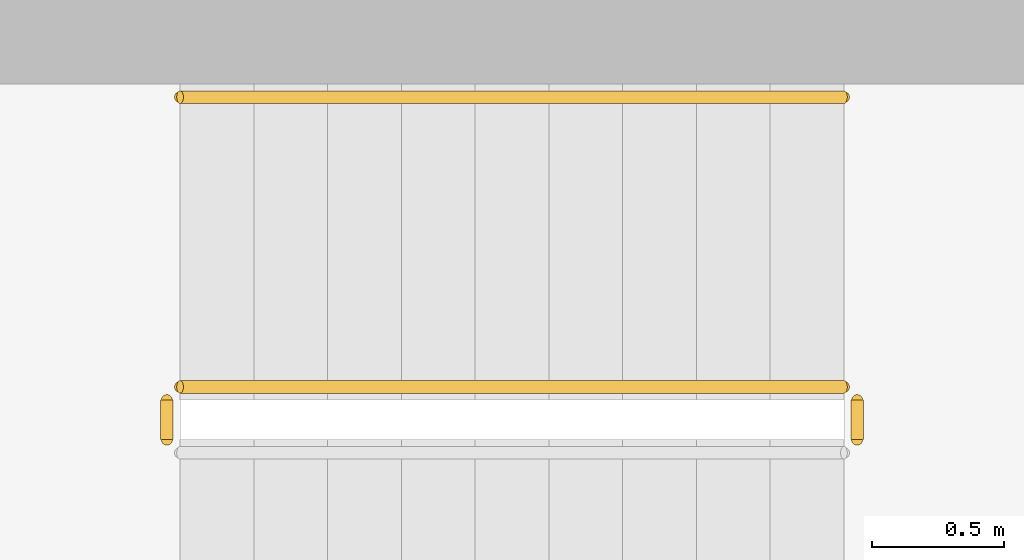
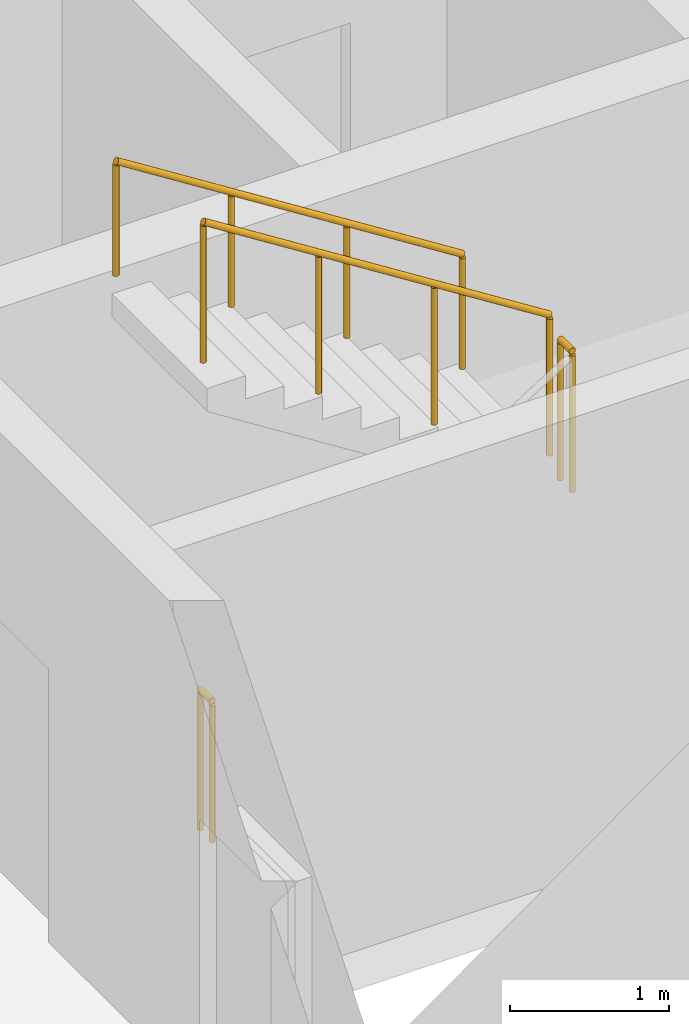
# One storey, part 15 of 17: 4 railings.
"""IFC4 building model written with IfcOpenShell, lengths in metres."""

from ifc_helpers import new_model, si_unit, direction, frame, origin, origin_2d, place, context, subcontext, project, spatial, circle, extrude, material, type_object, element, save


model = new_model("IFC4")

# Units and contexts
model_context = context("Model", 3, precision=1e-05, world=origin(), true_north=direction((0.0, 1.0)))
body_context = subcontext(model_context, "Body", "Model", "MODEL_VIEW")
ifc_project = project(units=[si_unit("LENGTHUNIT", "METRE"), si_unit("AREAUNIT", "SQUARE_METRE"), si_unit("VOLUMEUNIT", "CUBIC_METRE"), si_unit("PLANEANGLEUNIT", "RADIAN"), si_unit("MASSUNIT", "GRAM", prefix="KILO")], contexts=[model_context])

# Site, building, storey
site_placement = place(None, origin())
site = spatial("IfcSite", under=ifc_project, at=site_placement, CompositionType="ELEMENT")
building_placement = place(site_placement, origin())
building = spatial("IfcBuilding", under=site, at=building_placement, Name="Ostrand Prow Hotel Tower", CompositionType="ELEMENT")
storey_placement = place(building_placement, frame((0.0, 0.0, 99.10009765625)))
storey = spatial("IfcBuildingStorey", under=building, at=storey_placement, Name="L23", CompositionType="ELEMENT", Elevation=99.10009765625)

# Railings
ifc_material_1 = material(Name="Painted steel", Category="steel")
railing_type_1 = type_object("IfcRailingType", Name="Stair guard 1100", PredefinedType="GUARDRAIL", material=ifc_material_1)
railing_1_placement = place(storey_placement, frame((59.77001953125, -11.699951171875, 1.77490234375)))
element("IfcRailing", 1, at=railing_1_placement, inside=storey, type_object=railing_type_1, Name="L23 ST2C stair guard 2", PredefinedType="GUARDRAIL", context=body_context, shape_type="SweptSolid", body=[
    extrude(circle(Radius=0.02392578125, at=origin_2d()), frame((0.0, 0.0, 1.076171875), z_axis=(0.0, 1.0, 0.0), x_axis=(-1.0, 0.0, 0.0)), (0.0, 0.0, 1.0), 0.14990234375),
    extrude(circle(Radius=0.02099609375, at=origin_2d()), origin(), (0.0, 0.0, 1.0), 1.052001953125),
    extrude(circle(Radius=0.02099609375, at=origin_2d()), frame((0.0, 0.14990234375, 0.0)), (0.0, 0.0, 1.0), 1.052001953125),
])
railing_2_placement = place(storey_placement, frame((59.719970703125, -11.5, 1.952392578125)))
element("IfcRailing", 2, at=railing_2_placement, inside=storey, type_object=railing_type_1, Name="L23 ST2C stair guard 3", PredefinedType="GUARDRAIL", context=body_context, shape_type="SweptSolid", body=[
    extrude(circle(Radius=0.02392578125, at=origin_2d()), frame((0.0, 0.0, 1.076171875), z_axis=(-0.84460694969, 0.0, 0.535386869969), x_axis=(0.0, -1.0, 0.0)), (0.0, 0.0, 1.0), 2.983642578125),
    extrude(circle(Radius=0.02099609375, at=origin_2d()), origin(), (0.0, 0.0, 1.0), 1.052001953125),
    extrude(circle(Radius=0.02099609375, at=origin_2d()), frame((-0.840087890625, 0.0, 0.532470703125)), (0.0, 0.0, 1.0), 1.052001953125),
    extrude(circle(Radius=0.02099609375, at=origin_2d()), frame((-1.679931640625, 0.0, 1.06494140625)), (0.0, 0.0, 1.0), 1.052001953125),
    extrude(circle(Radius=0.02099609375, at=origin_2d()), frame((-2.52001953125, 0.0, 1.597412109375)), (0.0, 0.0, 1.0), 1.052001953125),
])
railing_3_placement = place(storey_placement, frame((57.14990234375, -11.699951171875, 0.0)))
element("IfcRailing", 3, at=railing_3_placement, inside=storey, type_object=railing_type_1, Name="L23 ST2C stair guard 4", PredefinedType="GUARDRAIL", context=body_context, shape_type="SweptSolid", body=[
    extrude(circle(Radius=0.02392578125, at=origin_2d()), frame((0.0, 0.0, 1.076171875), z_axis=(0.0, 1.0, 0.0), x_axis=(-1.0, 0.0, 0.0)), (0.0, 0.0, 1.0), 0.14990234375),
    extrude(circle(Radius=0.02099609375, at=origin_2d()), origin(), (0.0, 0.0, 1.0), 1.052001953125),
    extrude(circle(Radius=0.02099609375, at=origin_2d()), frame((0.0, 0.14990234375, 0.0)), (0.0, 0.0, 1.0), 1.052001953125),
])
ifc_material_2 = material(Name="Stainless steel", Category="steel")
railing_type_2 = type_object("IfcRailingType", Name="Stair handrail 900", PredefinedType="HANDRAIL", material=ifc_material_2)
railing_4_placement = place(storey_placement, frame((59.719970703125, -10.39990234375, 1.952392578125)))
element("IfcRailing", 4, at=railing_4_placement, inside=storey, type_object=railing_type_2, Name="L23 ST2C stair handrail 2", PredefinedType="HANDRAIL", context=body_context, shape_type="SweptSolid", body=[
    extrude(circle(Radius=0.02392578125, at=origin_2d()), frame((0.0, 0.0, 0.8759765625), z_axis=(-0.84460694969, 0.0, 0.535386869969), x_axis=(0.0, -1.0, 0.0)), (0.0, 0.0, 1.0), 2.983642578125),
    extrude(circle(Radius=0.02099609375, at=origin_2d()), origin(), (0.0, 0.0, 1.0), 0.851806640625),
    extrude(circle(Radius=0.02099609375, at=origin_2d()), frame((-0.840087890625, 0.0, 0.532470703125)), (0.0, 0.0, 1.0), 0.851806640625),
    extrude(circle(Radius=0.02099609375, at=origin_2d()), frame((-1.679931640625, 0.0, 1.06494140625)), (0.0, 0.0, 1.0), 0.851806640625),
    extrude(circle(Radius=0.02099609375, at=origin_2d()), frame((-2.52001953125, 0.0, 1.597412109375)), (0.0, 0.0, 1.0), 0.851806640625),
])

save(model, "model.ifc")
